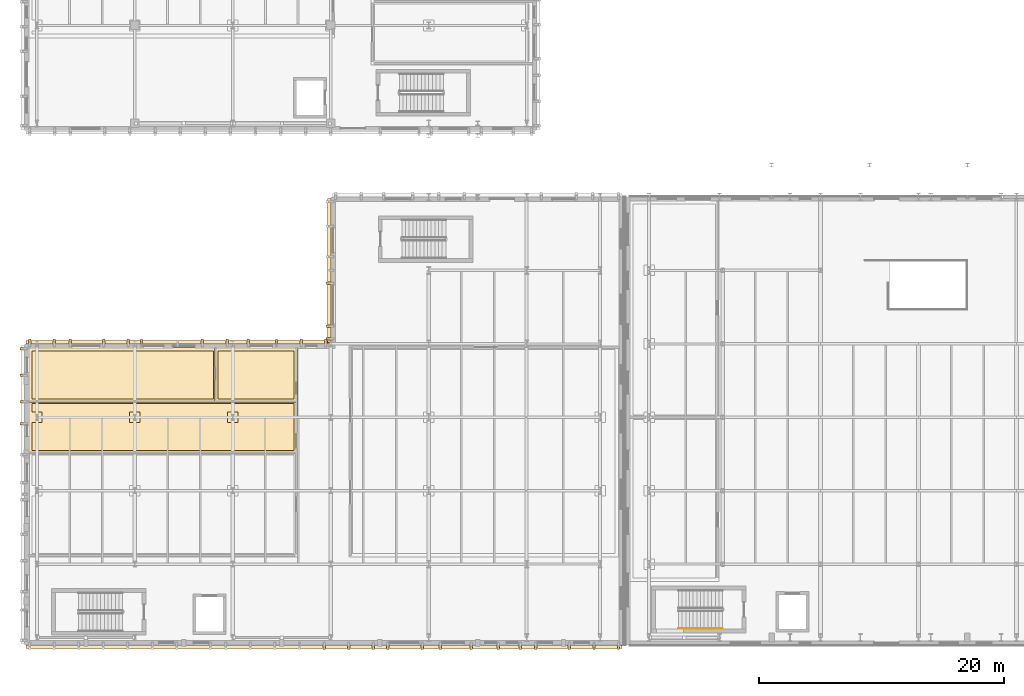
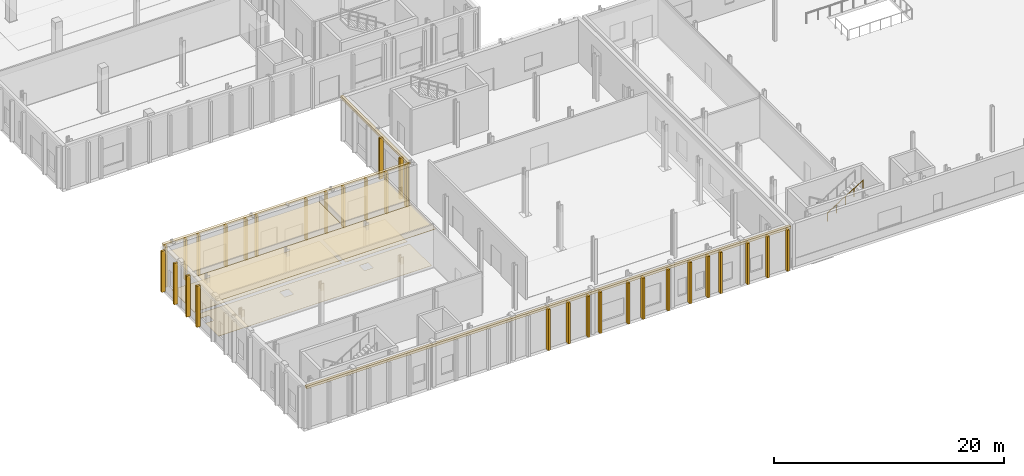
# One storey, part 41 of 60: 41 coverings, 1 railing.
"""IFC4 building model written with IfcOpenShell, lengths in metres."""

import ifcopenshell
import ifcopenshell.guid

model = None  # the IFC model being written
_history = None  # IfcOwnerHistory: only IFC2X3 demands one
_inside = {}  # id of a spatial element -> (the spatial element, [elements in it])
_under = {}  # id of a project, library or spatial element -> (it, [spatial elements below it])
_declared = {}  # id of a project -> (the project, [libraries it declares])
_typed = {}  # id of a type object -> (the type object, [elements of that type])
_made_of = {}  # id of a material, layer set ... -> (it, [elements and type objects made of it])


def new_model(schema):
    """Start an empty IFC model of exactly this schema.

    Asked for "IFC4X3", IfcOpenShell would pick the latest addendum, in which some entities
    have other attributes; the version numbers below select the first issue.
    IFC2X3 requires an IfcOwnerHistory on every rooted entity: one is made here for all.
    """
    global model, _history
    if schema == "IFC4X3":
        model = ifcopenshell.file(schema_version=(4, 3, 0, 0))
    else:
        model = ifcopenshell.file(schema=schema)
    _inside.clear()
    _under.clear()
    _declared.clear()
    _typed.clear()
    _made_of.clear()
    _history = None
    if model.schema == "IFC2X3":
        org = make("IfcOrganization", Name="unknown")
        user = make(
            "IfcPersonAndOrganization",
            ThePerson=make("IfcPerson", FamilyName="unknown"),
            TheOrganization=org,
        )
        app = make(
            "IfcApplication",
            ApplicationDeveloper=org,
            Version="unknown",
            ApplicationFullName="unknown",
            ApplicationIdentifier="unknown",
        )
        _history = make(
            "IfcOwnerHistory",
            OwningUser=user,
            OwningApplication=app,
            ChangeAction="ADDED",
            CreationDate=0,
        )
    return model


def make(cls, **values):
    """One entity of the class cls with the attributes given. An attribute that is None is left unset."""
    return model.create_entity(
        cls, **{name: value for name, value in values.items() if value is not None}
    )


def rooted(cls, **values):
    """An entity with a GlobalId (a new one), such as an element, a storey or a relation."""
    return make(cls, GlobalId=ifcopenshell.guid.new(), OwnerHistory=_history, **values)


def si_unit(unit_type, name, prefix=None):
    """IfcSIUnit, for example si_unit("LENGTHUNIT", "METRE", prefix="MILLI")."""
    return make("IfcSIUnit", UnitType=unit_type, Prefix=prefix, Name=name)


def assignment(units):
    """IfcUnitAssignment: the units of a project."""
    return None if units is None else make("IfcUnitAssignment", Units=units)


def point(xyz):
    """IfcCartesianPoint."""
    return None if xyz is None else make("IfcCartesianPoint", Coordinates=xyz)


def direction(xyz):
    """IfcDirection."""
    return None if xyz is None else make("IfcDirection", DirectionRatios=xyz)


def frame(location, z_axis=None, x_axis=None):
    """IfcAxis2Placement3D, a coordinate frame: its origin and axes. An axis left out is left unset."""
    return make(
        "IfcAxis2Placement3D",
        Location=point(location),
        Axis=direction(z_axis),
        RefDirection=direction(x_axis),
    )


def frame_2d(location, x_axis=None):
    """IfcAxis2Placement2D, a coordinate frame in the plane: its origin and x axis."""
    return make(
        "IfcAxis2Placement2D", Location=point(location), RefDirection=direction(x_axis)
    )


def origin():
    """The frame at (0, 0, 0) with its axes left unset."""
    return frame((0.0, 0.0, 0.0))


def origin_2d():
    """The frame at (0, 0) in the plane with its x axis left unset."""
    return frame_2d((0.0, 0.0))


def place(relative_to, where):
    """IfcLocalPlacement: puts the frame where relative to a parent placement (None: the world)."""
    return make(
        "IfcLocalPlacement", PlacementRelTo=relative_to, RelativePlacement=where
    )


def context(
    kind, dimensions, precision=None, world=None, true_north=None, identifier=None
):
    """IfcGeometricRepresentationContext, for example the 3D "Model" context."""
    return make(
        "IfcGeometricRepresentationContext",
        ContextIdentifier=identifier,
        ContextType=kind,
        CoordinateSpaceDimension=dimensions,
        Precision=precision,
        WorldCoordinateSystem=world,
        TrueNorth=true_north,
    )


def subcontext(parent, identifier, kind, view, scale=None):
    """IfcGeometricRepresentationSubContext, for example "Body" below "Model"."""
    return make(
        "IfcGeometricRepresentationSubContext",
        ContextIdentifier=identifier,
        ContextType=kind,
        ParentContext=parent,
        TargetScale=scale,
        TargetView=view,
    )


def project(units=None, contexts=None):
    """IfcProject with its units and contexts."""
    return rooted(
        "IfcProject",
        Name="project",
        RepresentationContexts=contexts,
        UnitsInContext=assignment(units),
    )


def spatial(cls, under=None, at=None, **own):
    """A site, building, storey or space (cls), placed at a placement, below another one or the project."""
    s = rooted(cls, ObjectPlacement=at, **own)
    if under is not None:
        _under.setdefault(under.id(), (under, []))[1].append(s)
    return s


def polyline(points):
    """IfcPolyline through the points."""
    return make("IfcPolyline", Points=[point(p) for p in points])


def profile(cls, at=None, kind="AREA", **sizes):
    """A parametric profile (cls). Its sizes go by their IFC names, for example OverallWidth=200.0."""
    return make(cls, ProfileType=kind, Position=at, **sizes)


def rectangle(**sizes):
    """IfcRectangleProfileDef."""
    return profile("IfcRectangleProfileDef", **sizes)


def circle(**sizes):
    """IfcCircleProfileDef."""
    return profile("IfcCircleProfileDef", **sizes)


def outline(outer, holes=None, kind="AREA"):
    """IfcArbitraryClosedProfileDef: a profile drawn as a closed curve; with holes, ...WithVoids."""
    if holes is None:
        return make("IfcArbitraryClosedProfileDef", ProfileType=kind, OuterCurve=outer)
    return make(
        "IfcArbitraryProfileDefWithVoids",
        ProfileType=kind,
        OuterCurve=outer,
        InnerCurves=holes,
    )


def extrude(swept, where, along, depth):
    """IfcExtrudedAreaSolid: the profile swept, set in the frame where, extruded along a direction by depth."""
    return make(
        "IfcExtrudedAreaSolid",
        SweptArea=swept,
        Position=where,
        ExtrudedDirection=direction(along),
        Depth=depth,
    )


def shape(context_of_items, identifier, shape_type, items):
    """IfcShapeRepresentation: the items that make up one representation, for example the "Body"."""
    return make(
        "IfcShapeRepresentation",
        ContextOfItems=context_of_items,
        RepresentationIdentifier=identifier,
        RepresentationType=shape_type,
        Items=items,
    )


def material(Name=None, Category=None):
    """IfcMaterial."""
    return make("IfcMaterial", Name=Name, Category=Category)


def layer(
    of_material, thickness, ventilated=None, Name=None, Category=None, Priority=None
):
    """IfcMaterialLayer: one layer of a wall or slab, of a material (None: an air gap)."""
    return make(
        "IfcMaterialLayer",
        Material=of_material,
        LayerThickness=thickness,
        IsVentilated=ventilated,
        Name=Name,
        Category=Category,
        Priority=Priority,
    )


def layer_set(layers, Name=None):
    """IfcMaterialLayerSet."""
    return make("IfcMaterialLayerSet", MaterialLayers=layers, LayerSetName=Name)


def made_of(thing, what):
    """Note that an element or type object is made of a material, layer set ...; save() writes the relation."""
    if what is not None:
        _made_of.setdefault(what.id(), (what, []))[1].append(thing)
    return thing


def type_object(cls, material=None, **own):
    """A type object (cls), such as IfcWallType, which elements share."""
    return made_of(rooted(cls, **own), material)


def element(
    cls,
    number,
    at=None,
    inside=None,
    cuts=None,
    type_object=None,
    material=None,
    context=None,
    identifier="Body",
    shape_type=None,
    held_by="IfcProductDefinitionShape",
    body=None,
    shapes=None,
    **own,
):
    """One element of the class cls, such as IfcWall. Its Tag is "e" and its number.

    at: its placement. inside: the storey or other place that contains it. cuts: it is an
    opening in that element (IfcRelVoidsElement). A single representation is given by context,
    identifier, shape_type and body (its items); several are given by shapes. held_by: the class
    of the entity that holds the representations. save() writes the other relations.
    """
    e = rooted(cls, Tag="e%d" % number, ObjectPlacement=at, **own)
    if body is not None:
        shapes = [shape(context, identifier, shape_type, body)]
    if shapes is not None:
        e.Representation = make(held_by, Representations=shapes)
    if inside is not None:
        _inside.setdefault(inside.id(), (inside, []))[1].append(e)
    if cuts is not None:
        rooted(
            "IfcRelVoidsElement", RelatingBuildingElement=cuts, RelatedOpeningElement=e
        )
    if type_object is not None:
        _typed.setdefault(type_object.id(), (type_object, []))[1].append(e)
    return made_of(e, material)


def aggregate(whole, parts):
    """IfcRelAggregates: a whole, such as a stair, and the parts it consists of."""
    return rooted("IfcRelAggregates", RelatingObject=whole, RelatedObjects=parts)


def save(model, path):
    """Write the relations noted so far, then the file.

    IfcRelAggregates (storeys below a building ...), IfcRelContainedInSpatialStructure (elements
    in a storey), IfcRelDefinesByType, IfcRelAssociatesMaterial and IfcRelDeclares: one each for
    every whole, place, type object, material and project.
    """
    for whole, parts in _under.values():
        aggregate(whole, parts)
    for where, things in _inside.values():
        rooted(
            "IfcRelContainedInSpatialStructure",
            RelatedElements=things,
            RelatingStructure=where,
        )
    for kind, things in _typed.values():
        rooted("IfcRelDefinesByType", RelatedObjects=things, RelatingType=kind)
    for what, things in _made_of.values():
        rooted("IfcRelAssociatesMaterial", RelatedObjects=things, RelatingMaterial=what)
    for by, libraries in _declared.values():
        rooted("IfcRelDeclares", RelatingContext=by, RelatedDefinitions=libraries)
    model.write(path)


model = new_model("IFC4")

# Units and contexts
model_context = context("Model", 3, precision=1e-05, world=origin(), true_north=direction((0.0, 1.0)))
body_context = subcontext(model_context, "Body", "Model", "MODEL_VIEW")
ifc_project = project(units=[si_unit("LENGTHUNIT", "METRE"), si_unit("AREAUNIT", "SQUARE_METRE"), si_unit("VOLUMEUNIT", "CUBIC_METRE"), si_unit("PLANEANGLEUNIT", "RADIAN"), si_unit("MASSUNIT", "GRAM", prefix="KILO")], contexts=[model_context])

# Site, building, storey
site_placement = place(None, origin())
site = spatial("IfcSite", under=ifc_project, at=site_placement, CompositionType="ELEMENT")
building_placement = place(site_placement, origin())
building = spatial("IfcBuilding", under=site, at=building_placement, Name="Cymarion Research Institute", CompositionType="ELEMENT")
storey_placement = place(building_placement, origin())
storey = spatial("IfcBuildingStorey", under=building, at=storey_placement, Name="L00", CompositionType="ELEMENT", Elevation=0.0)

# Coverings
ifc_material_1 = material(Name="Micro-perforated mineral acoustic ceiling tile", Category="gypsum")
ifc_layer_1 = layer(ifc_material_1, 0.030029296875)
ifc_layer_set_1 = layer_set([ifc_layer_1], Name="Micro-perforated mineral acoustic ceiling tile")
covering_type_1 = type_object("IfcCoveringType", Name="ACOUSTIC MICRO-PERFORATED SUSPENDED CEILING CLG-01", PredefinedType="CEILING", material=ifc_layer_set_1)
covering_1_placement = place(storey_placement, frame((0.0, 0.0, 4.0)))
element("IfcCovering", 1, at=covering_1_placement, inside=storey, type_object=covering_type_1, Name="L00 L00 Computational & Optics Teaching Lab B acoustic ceiling", PredefinedType="CEILING", context=body_context, shape_type="SweptSolid", body=[
    extrude(outline(polyline([(27.9150390625, 24.9150390625), (27.9150390625, 20.485107421875), (5.885009765625, 20.485107421875), (5.885009765625, 24.9150390625), (27.9150390625, 24.9150390625)])), origin(), (0.0, 0.0, 1.0), 0.030029296875),
])
covering_2_placement = place(storey_placement, frame((0.0, 0.0, 4.0)))
element("IfcCovering", 2, at=covering_2_placement, inside=storey, type_object=covering_type_1, Name="L00 L00 Symposium Cloakroom & Teaching Prep Store acoustic ceiling", PredefinedType="CEILING", context=body_context, shape_type="SweptSolid", body=[
    extrude(outline(polyline([(21.31494140625, 29.215087890625), (21.31494140625, 24.68505859375), (5.885009765625, 24.68505859375), (5.885009765625, 29.215087890625), (21.31494140625, 29.215087890625)])), origin(), (0.0, 0.0, 1.0), 0.030029296875),
])
covering_3_placement = place(storey_placement, frame((0.0, 0.0, 4.0)))
element("IfcCovering", 3, at=covering_3_placement, inside=storey, type_object=covering_type_1, Name="L00 L00 V3 Accessible WC acoustic ceiling", PredefinedType="CEILING", context=body_context, shape_type="SweptSolid", body=[
    extrude(outline(polyline([(27.9150390625, 29.215087890625), (27.9150390625, 24.68505859375), (21.0849609375, 24.68505859375), (21.0849609375, 29.215087890625), (27.9150390625, 29.215087890625)])), origin(), (0.0, 0.0, 1.0), 0.030029296875),
])
ifc_material_2 = material(Name="Precast concrete C45/55 architectural white", Category="concrete")
ifc_layer_2 = layer(ifc_material_2, 0.260009765625)
ifc_layer_set_2 = layer_set([ifc_layer_2], Name="Precast concrete C45/55 architectural white")
covering_type_2 = type_object("IfcCoveringType", Name="SCULPTURAL WHITE PRECAST CONCRETE SPANDREL BROW BAND RIB2 280MM", PredefinedType="CLADDING", material=ifc_layer_set_2)
covering_4_placement = place(storey_placement, frame((30.050048828125, 4.758056640625, 4.39013671875), z_axis=(0.0, 0.0, 1.0), x_axis=(0.0, -1.0, 0.0)))
element("IfcCovering", 4, at=covering_4_placement, inside=storey, type_object=covering_type_2, Name="L00 V3 precast spandrel brow band RIB2 #1", PredefinedType="CLADDING", context=body_context, shape_type="SweptSolid", body=[
    extrude(rectangle(XDim=0.280029296875, YDim=48.659912109375, at=origin_2d()), origin(), (0.0, 0.0, 1.0), 0.260009765625),
])
covering_5_placement = place(storey_placement, frame((30.4580078125, 35.5, 4.39013671875), z_axis=(0.0, 0.0, 1.0), x_axis=(-1.0, 0.0, 0.0)))
element("IfcCovering", 5, at=covering_5_placement, inside=storey, type_object=covering_type_2, Name="L00 V3 precast spandrel brow band RIB2 #38", PredefinedType="CLADDING", context=body_context, shape_type="SweptSolid", body=[
    extrude(rectangle(XDim=0.280029296875, YDim=11.760009765625, at=origin_2d()), origin(), (0.0, 0.0, 1.0), 0.260009765625),
])
covering_6_placement = place(storey_placement, frame((18.10009765625, 29.64208984375, 4.39013671875), z_axis=(0.0, 0.0, 1.0), x_axis=(0.0, 1.0, 0.0)))
element("IfcCovering", 6, at=covering_6_placement, inside=storey, type_object=covering_type_2, Name="L00 V3 precast spandrel brow band RIB2 #45", PredefinedType="CLADDING", context=body_context, shape_type="SweptSolid", body=[
    extrude(rectangle(XDim=0.280029296875, YDim=24.760009765625, at=origin_2d()), origin(), (0.0, 0.0, 1.0), 0.260009765625),
])
ifc_layer_3 = layer(ifc_material_2, 0.199951171875)
ifc_layer_set_3 = layer_set([ifc_layer_3], Name="Precast concrete C45/55 architectural white")
covering_type_3 = type_object("IfcCoveringType", Name="SCULPTURAL WHITE PRECAST CONCRETE VERTICAL RIB RIB1 380X200", PredefinedType="CLADDING", material=ifc_layer_set_3)
for number, where, z_axis, x_axis, name in (
    (7, (30.050048828125, 4.7080078125, 0.010009765625), (0.0, 0.0, 1.0), (0.0, -1.0, 0.0), "L00 V3 sculptural precast vertical rib RIB1 #14"),
    (8, (32.05419921875, 4.7080078125, 0.010009765625), (0.0, 0.0, 1.0), (0.0, -1.0, 0.0), "L00 V3 sculptural precast vertical rib RIB1 #15"),
    (9, (34.058349609375, 4.7080078125, 0.010009765625), (0.0, 0.0, 1.0), (0.0, -1.0, 0.0), "L00 V3 sculptural precast vertical rib RIB1 #16"),
    (10, (35.25, 4.7080078125, 0.010009765625), (0.0, 0.0, 1.0), (0.0, -1.0, 0.0), "L00 V3 sculptural precast vertical rib RIB1 #17"),
    (11, (38.066650390625, 4.7080078125, 0.010009765625), (0.0, 0.0, 1.0), (0.0, -1.0, 0.0), "L00 V3 sculptural precast vertical rib RIB1 #18"),
    (12, (39.550048828125, 4.7080078125, 0.010009765625), (0.0, 0.0, 1.0), (0.0, -1.0, 0.0), "L00 V3 sculptural precast vertical rib RIB1 #19"),
    (13, (42.074951171875, 4.7080078125, 0.010009765625), (0.0, 0.0, 1.0), (0.0, -1.0, 0.0), "L00 V3 sculptural precast vertical rib RIB1 #20"),
    (14, (44.27001953125, 4.7080078125, 0.010009765625), (0.0, 0.0, 1.0), (0.0, -1.0, 0.0), "L00 V3 sculptural precast vertical rib RIB1 #21"),
    (15, (46.083251953125, 4.7080078125, 0.010009765625), (0.0, 0.0, 1.0), (0.0, -1.0, 0.0), "L00 V3 sculptural precast vertical rib RIB1 #22"),
    (16, (47.35009765625, 4.7080078125, 0.010009765625), (0.0, 0.0, 1.0), (0.0, -1.0, 0.0), "L00 V3 sculptural precast vertical rib RIB1 #23"),
    (17, (50.091796875, 4.7080078125, 0.010009765625), (0.0, 0.0, 1.0), (0.0, -1.0, 0.0), "L00 V3 sculptural precast vertical rib RIB1 #24"),
    (18, (52.095703125, 4.7080078125, 0.010009765625), (0.0, 0.0, 1.0), (0.0, -1.0, 0.0), "L00 V3 sculptural precast vertical rib RIB1 #25"),
    (19, (54.10009765625, 4.7080078125, 0.010009765625), (0.0, 0.0, 1.0), (0.0, -1.0, 0.0), "L00 V3 sculptural precast vertical rib RIB1 #26"),
    (20, (30.407958984375, 34.449951171875, 0.010009765625), (0.0, 0.0, 1.0), (-1.0, 0.0, 0.0), "L00 V3 sculptural precast vertical rib RIB1 #42"),
    (21, (30.407958984375, 30.949951171875, 0.010009765625), (0.0, 0.0, 1.0), (-1.0, 0.0, 0.0), "L00 V3 sculptural precast vertical rib RIB1 #43"),
    (22, (30.407958984375, 29.89990234375, 0.010009765625), (0.0, 0.0, 1.0), (-1.0, 0.0, 0.0), "L00 V3 sculptural precast vertical rib RIB1 #44"),
    (23, (30.199951171875, 29.69189453125, 0.010009765625), (0.0, 0.0, 1.0), (0.0, 1.0, 0.0), "L00 V3 sculptural precast vertical rib RIB1 #46"),
    (24, (28.183349609375, 29.69189453125, 0.010009765625), (0.0, 0.0, 1.0), (0.0, 1.0, 0.0), "L00 V3 sculptural precast vertical rib RIB1 #47"),
    (25, (26.166748046875, 29.69189453125, 0.010009765625), (0.0, 0.0, 1.0), (0.0, 1.0, 0.0), "L00 V3 sculptural precast vertical rib RIB1 #48"),
    (26, (23.8701171875, 29.69189453125, 0.010009765625), (0.0, 0.0, 1.0), (0.0, 1.0, 0.0), "L00 V3 sculptural precast vertical rib RIB1 #49"),
    (27, (22.13330078125, 29.69189453125, 0.010009765625), (0.0, 0.0, 1.0), (0.0, 1.0, 0.0), "L00 V3 sculptural precast vertical rib RIB1 #50"),
    (28, (20.11669921875, 29.69189453125, 0.010009765625), (0.0, 0.0, 1.0), (0.0, 1.0, 0.0), "L00 V3 sculptural precast vertical rib RIB1 #51"),
    (29, (15.139892578125, 29.69189453125, 0.010009765625), (0.0, 0.0, 1.0), (0.0, 1.0, 0.0), "L00 V3 sculptural precast vertical rib RIB1 #52"),
    (30, (14.066650390625, 29.69189453125, 0.010009765625), (0.0, 0.0, 1.0), (0.0, 1.0, 0.0), "L00 V3 sculptural precast vertical rib RIB1 #53"),
    (31, (12.050048828125, 29.69189453125, 0.010009765625), (0.0, 0.0, 1.0), (0.0, 1.0, 0.0), "L00 V3 sculptural precast vertical rib RIB1 #54"),
    (32, (9.324951171875, 29.69189453125, 0.010009765625), (0.0, 0.0, 1.0), (0.0, 1.0, 0.0), "L00 V3 sculptural precast vertical rib RIB1 #55"),
    (33, (8.0166015625, 29.69189453125, 0.010009765625), (0.0, 0.0, 1.0), (0.0, 1.0, 0.0), "L00 V3 sculptural precast vertical rib RIB1 #56"),
    (34, (6.0, 29.69189453125, 0.010009765625), (0.0, 0.0, 1.0), (0.0, 1.0, 0.0), "L00 V3 sculptural precast vertical rib RIB1 #57"),
    (35, (5.407958984375, 29.10009765625, 0.010009765625), (0.0, 0.0, 1.0), (-1.0, 0.0, 0.0), "L00 V3 sculptural precast vertical rib RIB1 #59"),
    (36, (5.407958984375, 26.936279296875, 0.010009765625), (0.0, 0.0, 1.0), (-1.0, 0.0, 0.0), "L00 V3 sculptural precast vertical rib RIB1 #60"),
    (37, (5.407958984375, 24.772705078125, 0.010009765625), (0.0, 0.0, 1.0), (-1.0, 0.0, 0.0), "L00 V3 sculptural precast vertical rib RIB1 #61"),
    (38, (5.407958984375, 22.97998046875, 0.010009765625), (0.0, 0.0, 1.0), (-1.0, 0.0, 0.0), "L00 V3 sculptural precast vertical rib RIB1 #62"),
):
    element("IfcCovering", number, at=place(storey_placement, frame(where, z_axis=z_axis, x_axis=x_axis)), inside=storey, type_object=covering_type_3, Name=name, PredefinedType="CLADDING", context=body_context, shape_type="SweptSolid", body=[
        extrude(rectangle(XDim=0.3798828125, YDim=0.199951171875, at=origin_2d()), origin(), (0.0, 0.0, 1.0), 4.375),
    ])
ifc_material_3 = material(Name="Seamless dissipative epoxy resin flooring", Category="resin")
ifc_layer_4 = layer(ifc_material_3, 0.02001953125)
ifc_layer_set_4 = layer_set([ifc_layer_4], Name="Seamless dissipative epoxy resin flooring")
covering_type_4 = type_object("IfcCoveringType", Name="SEAMLESS ESD EPOXY LABORATORY FLOORING FLR-01", PredefinedType="FLOORING", material=ifc_layer_set_4)
covering_7_placement = place(storey_placement, origin())
element("IfcCovering", 39, at=covering_7_placement, inside=storey, type_object=covering_type_4, Name="L00 L00 Computational & Optics Teaching Lab B ESD epoxy flooring", PredefinedType="FLOORING", context=body_context, shape_type="SweptSolid", body=[
    extrude(outline(polyline([(6.18505859375, 23.06494140625), (7.034912109375, 23.06494140625), (7.034912109375, 23.93505859375), (6.18505859375, 23.93505859375), (6.18505859375, 24.614990234375), (27.614990234375, 24.614990234375), (27.614990234375, 20.784912109375), (6.18505859375, 20.784912109375), (6.18505859375, 23.06494140625)]), holes=[polyline([(23.034912109375, 23.93505859375), (22.1650390625, 23.93505859375), (22.1650390625, 23.06494140625), (23.034912109375, 23.06494140625), (23.034912109375, 23.93505859375)]), polyline([(15.034912109375, 23.93505859375), (14.1650390625, 23.93505859375), (14.1650390625, 23.06494140625), (15.034912109375, 23.06494140625), (15.034912109375, 23.93505859375)])]), origin(), (0.0, 0.0, 1.0), 0.02001953125),
])
covering_8_placement = place(storey_placement, origin())
element("IfcCovering", 40, at=covering_8_placement, inside=storey, type_object=covering_type_4, Name="L00 L00 Symposium Cloakroom & Teaching Prep Store ESD epoxy flooring", PredefinedType="FLOORING", context=body_context, shape_type="SweptSolid", body=[
    extrude(outline(polyline([(6.18505859375, 28.9150390625), (21.014892578125, 28.9150390625), (21.014892578125, 24.985107421875), (6.18505859375, 24.985107421875), (6.18505859375, 28.9150390625)])), origin(), (0.0, 0.0, 1.0), 0.02001953125),
])
covering_9_placement = place(storey_placement, origin())
element("IfcCovering", 41, at=covering_9_placement, inside=storey, type_object=covering_type_4, Name="L00 L00 V3 Accessible WC ESD epoxy flooring", PredefinedType="FLOORING", context=body_context, shape_type="SweptSolid", body=[
    extrude(outline(polyline([(21.385009765625, 28.9150390625), (27.614990234375, 28.9150390625), (27.614990234375, 24.985107421875), (21.385009765625, 24.985107421875), (21.385009765625, 28.9150390625)])), origin(), (0.0, 0.0, 1.0), 0.02001953125),
])

# Railing
ifc_material_4 = material(Name="Steel S355", Category="steel")
railing_type = type_object("IfcRailingType", Name="STAINLESS STEEL STAIR HANDRAIL HR1 900MM", PredefinedType="HANDRAIL", material=ifc_material_4)
railing_placement = place(storey_placement, frame((59.0, 6.25, 2.584716796875)))
element("IfcRailing", 42, at=railing_placement, inside=storey, type_object=railing_type, Name="L00 ST3 stair handrail 2", PredefinedType="HANDRAIL", context=body_context, shape_type="SweptSolid", body=[
    extrude(circle(Radius=0.02392578125, at=origin_2d()), frame((0.0, 0.0, 0.8759765625), z_axis=(0.85167021472, 0.0, 0.524078090897), x_axis=(0.0, 1.0, 0.0)), (0.0, 0.0, 1.0), 4.22705078125),
    extrude(circle(Radius=0.02099609375, at=origin_2d()), origin(), (0.0, 0.0, 1.0), 0.851806640625),
    extrude(circle(Radius=0.02099609375, at=origin_2d()), frame((0.89990234375, 0.0, 0.5537109375)), (0.0, 0.0, 1.0), 0.851806640625),
    extrude(circle(Radius=0.02099609375, at=origin_2d()), frame((1.800048828125, 0.0, 1.107666015625)), (0.0, 0.0, 1.0), 0.851806640625),
    extrude(circle(Radius=0.02099609375, at=origin_2d()), frame((2.7001953125, 0.0, 1.66162109375)), (0.0, 0.0, 1.0), 0.851806640625),
    extrude(circle(Radius=0.02099609375, at=origin_2d()), frame((3.60009765625, 0.0, 2.21533203125)), (0.0, 0.0, 1.0), 0.851806640625),
])

save(model, "model.ifc")
